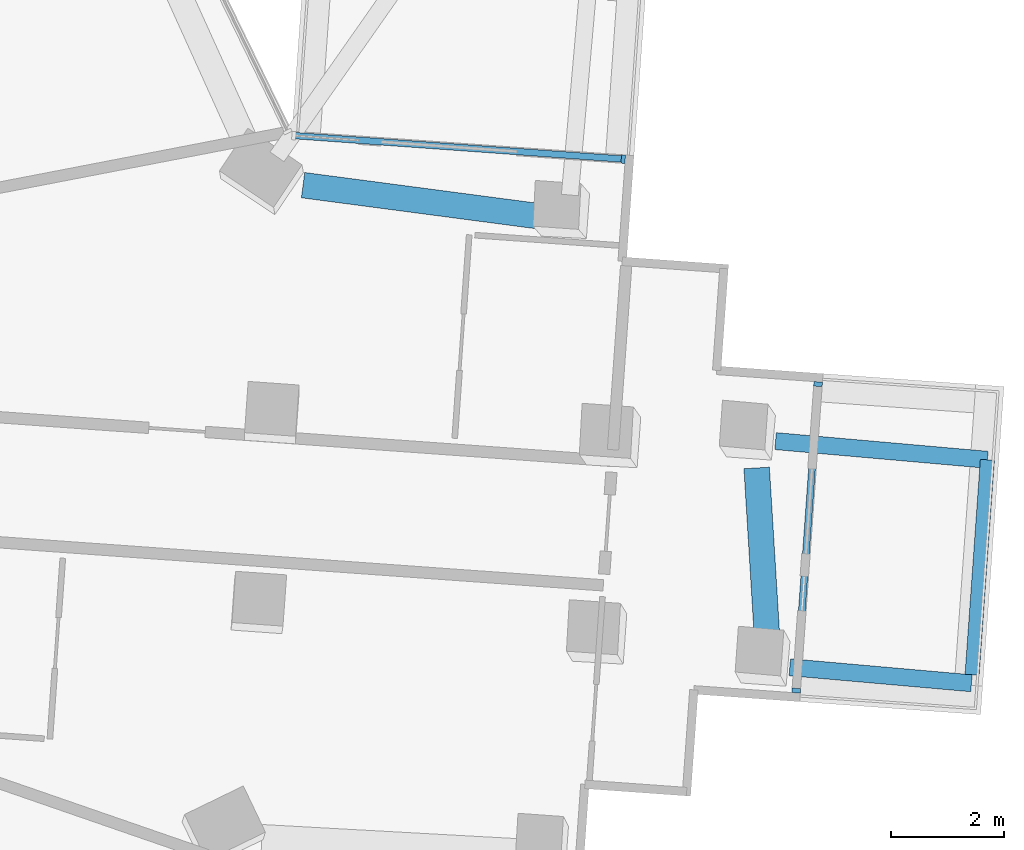
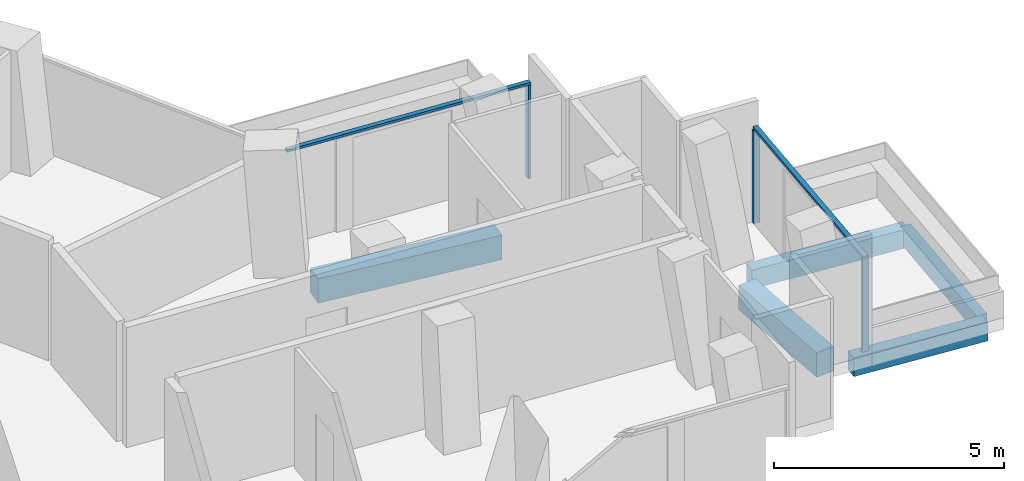
# One storey, part 5 of 22: 5 beams, 5 members, 2 elements without a shape of their own.
"""IFC4 building model written with IfcOpenShell, lengths in metres."""

from ifc_helpers import new_model, si_unit, direction, frame, origin, origin_2d, place, context, subcontext, project, spatial, rectangle, extrude, material, layer, layer_set, material_profile, profile_set, type_object, element, aggregate, save


model = new_model("IFC4")

# Units and contexts
model_context = context("Model", 3, precision=1e-05, world=origin(), true_north=direction((0.0, 1.0)))
body_context = subcontext(model_context, "Body", "Model", "MODEL_VIEW")
ifc_project = project(units=[si_unit("LENGTHUNIT", "METRE"), si_unit("AREAUNIT", "SQUARE_METRE"), si_unit("VOLUMEUNIT", "CUBIC_METRE"), si_unit("PLANEANGLEUNIT", "RADIAN"), si_unit("MASSUNIT", "GRAM", prefix="KILO")], contexts=[model_context])

# Site, building, storey
site_placement = place(None, origin())
site = spatial("IfcSite", under=ifc_project, at=site_placement, CompositionType="ELEMENT")
building_placement = place(site_placement, origin())
building = spatial("IfcBuilding", under=site, at=building_placement, Name="Verdalira Terraces Hotel", CompositionType="ELEMENT")
storey_placement = place(building_placement, frame((0.0, 0.0, 140.0)))
storey = spatial("IfcBuildingStorey", under=building, at=storey_placement, Name="L33", CompositionType="ELEMENT", Elevation=140.0)

# Beams
ifc_material_1 = material(Name="Concrete C40", Category="concrete")
ifc_material_profile_1 = material_profile(ifc_material_1, rectangle(XDim=0.300049, YDim=0.5, at=origin_2d()), Name="RC 300X500")
ifc_profile_set_1 = profile_set([ifc_material_profile_1], Name="Concrete C40")
beam_type_1 = type_object("IfcBeamType", Name="Balcony cantilever beam RC 300X500 C40", PredefinedType="BEAM", material=ifc_profile_set_1)
beam_1_placement = place(storey_placement, frame((33.4375, -4.69751, -0.560059), z_axis=(0.996131609, -0.087873878, 0.0), x_axis=(0.087873878, 0.996131609, 0.0)))
element("IfcBeam", 1, at=beam_1_placement, inside=storey, type_object=beam_type_1, Name="Balcony cantilever beam R33-1", PredefinedType="BEAM", context=body_context, shape_type="SweptSolid", body=[
    extrude(rectangle(XDim=0.300049, YDim=0.5, at=origin_2d()), origin(), (0.0, 0.0, 1.0), 3.217285),
])
beam_2_placement = place(storey_placement, frame((33.186523, -0.708984, -0.560059), z_axis=(0.996133368, -0.087853926, 0.0), x_axis=(0.087853926, 0.996133368, 0.0)))
element("IfcBeam", 2, at=beam_2_placement, inside=storey, type_object=beam_type_1, Name="Balcony cantilever beam R33-2", PredefinedType="BEAM", context=body_context, shape_type="SweptSolid", body=[
    extrude(rectangle(XDim=0.300049, YDim=0.5, at=origin_2d()), origin(), (0.0, 0.0, 1.0), 3.751465),
])
ifc_material_2 = material(Name="Concrete C40", Category="concrete")
ifc_material_profile_2 = material_profile(ifc_material_2, rectangle(XDim=0.25, YDim=0.449951, at=origin_2d()), Name="RC 250X450")
ifc_profile_set_2 = profile_set([ifc_material_profile_2], Name="Concrete C40")
beam_type_2 = type_object("IfcBeamType", Name="Balcony edge beam RC 250X450 C40", PredefinedType="BEAM", material=ifc_profile_set_2)
beam_3_placement = place(storey_placement, frame((36.653076, -4.830566, -0.534912), z_axis=(0.071155773, 0.997465215, 0.0), x_axis=(-0.997465215, 0.071155773, 0.0)))
element("IfcBeam", 3, at=beam_3_placement, inside=storey, type_object=beam_type_2, Name="Balcony edge beam R33-1", PredefinedType="BEAM", context=body_context, shape_type="SweptSolid", body=[
    extrude(rectangle(XDim=0.25, YDim=0.449951, at=origin_2d()), origin(), (0.0, 0.0, 1.0), 3.801514),
])

# Curtain wall, members
ifc_material_3 = material(Name="Clear glass", Category="glass")
ifc_layer_1 = layer(ifc_material_3, 0.14990234375)
ifc_layer_set_1 = layer_set([ifc_layer_1], Name="CW2 curtain wall")
curtain_wall_type_1 = type_object("IfcCurtainWallType", Name="CW2 curtain wall", PredefinedType="NOTDEFINED", material=ifc_layer_set_1)
curtain_wall_1_placement = place(storey_placement, origin())
curtain_wall_1 = element("IfcCurtainWall", 4, at=curtain_wall_1_placement, inside=storey, type_object=curtain_wall_type_1, Name="CW2 curtain wall L33 edge 38", PredefinedType="NOTDEFINED")
ifc_material_4 = material(Name="Terracotta frame", Category="masonry")
ifc_material_profile_3 = material_profile(ifc_material_4, rectangle(XDim=0.070068, YDim=0.149902, at=origin_2d()), Name="MU 70x150")
ifc_profile_set_3 = profile_set([ifc_material_profile_3], Name="Terracotta frame")
member_type_1 = type_object("IfcMemberType", Name="CW2 mullion 70x150", PredefinedType="MULLION", material=ifc_profile_set_3)
member_1_placement = place(storey_placement, frame((30.499512, 4.265869, 0.0), z_axis=(0.0, 0.0, 1.0), x_axis=(-0.997465679, 0.071149267, 0.0)))
member_1 = element("IfcMember", 5, at=member_1_placement, type_object=member_type_1, Name="CW2 mullion", PredefinedType="MULLION", context=body_context, shape_type="SweptSolid", body=[
    extrude(rectangle(XDim=0.070068, YDim=0.149902, at=origin_2d()), origin(), (0.0, 0.0, 1.0), 2.475098),
])
ifc_material_5 = material(Name="Terracotta frame", Category="masonry")
ifc_material_profile_4 = material_profile(ifc_material_5, rectangle(XDim=0.11499, YDim=0.064941, at=origin_2d()), Name="TR 65x115")
ifc_profile_set_4 = profile_set([ifc_material_profile_4], Name="Terracotta frame")
member_type_2 = type_object("IfcMemberType", Name="CW2 transom 65x115", PredefinedType="USERDEFINED", material=ifc_profile_set_4)
member_2_placement = place(storey_placement, frame((30.534424, 4.263184, 2.507568), z_axis=(-0.997462902, 0.071188189, 0.0), x_axis=(-0.071188189, -0.997462902, 0.0)))
member_2 = element("IfcMember", 6, at=member_2_placement, type_object=member_type_2, Name="CW2 transom", ObjectType="TRANSOM", PredefinedType="USERDEFINED", context=body_context, shape_type="SweptSolid", body=[
    extrude(rectangle(XDim=0.11499, YDim=0.064941, at=origin_2d()), origin(), (0.0, 0.0, 1.0), 5.895264),
])
aggregate(curtain_wall_1, [member_1, member_2])

ifc_material_6 = material(Name="Clear glass", Category="glass")
ifc_layer_2 = layer(ifc_material_6, 0.14990234375)
ifc_layer_set_2 = layer_set([ifc_layer_2], Name="CW3 curtain wall")
curtain_wall_type_2 = type_object("IfcCurtainWallType", Name="CW3 curtain wall", PredefinedType="NOTDEFINED", material=ifc_layer_set_2)
curtain_wall_2_placement = place(storey_placement, origin())
curtain_wall_2 = element("IfcCurtainWall", 7, at=curtain_wall_2_placement, inside=storey, type_object=curtain_wall_type_2, Name="CW3 curtain wall L33 edge 33", PredefinedType="NOTDEFINED")
ifc_material_7 = material(Name="Terracotta frame", Category="masonry")
ifc_material_profile_5 = material_profile(ifc_material_7, rectangle(XDim=0.080078, YDim=0.149902, at=origin_2d()), Name="MU 80x150")
ifc_profile_set_5 = profile_set([ifc_material_profile_5], Name="Terracotta frame")
member_type_3 = type_object("IfcMemberType", Name="CW3 mullion 80x150", PredefinedType="MULLION", material=ifc_profile_set_5)
member_3_placement = place(storey_placement, frame((33.550293, -5.110107, 0.0), z_axis=(0.0, 0.0, 1.0), x_axis=(0.071149267, 0.997465679, 0.0)))
member_3 = element("IfcMember", 8, at=member_3_placement, type_object=member_type_3, Name="CW3 mullion", PredefinedType="MULLION", context=body_context, shape_type="SweptSolid", body=[
    extrude(rectangle(XDim=0.080078, YDim=0.149902, at=origin_2d()), origin(), (0.0, 0.0, 1.0), 2.475098),
])
member_4_placement = place(storey_placement, frame((33.935791, 0.296143, 0.0), z_axis=(0.0, 0.0, 1.0), x_axis=(0.071149267, 0.997465679, 0.0)))
member_4 = element("IfcMember", 9, at=member_4_placement, type_object=member_type_3, Name="CW3 mullion", PredefinedType="MULLION", context=body_context, shape_type="SweptSolid", body=[
    extrude(rectangle(XDim=0.080078, YDim=0.149902, at=origin_2d()), origin(), (0.0, 0.0, 1.0), 2.475098),
])
ifc_material_8 = material(Name="Terracotta frame", Category="masonry")
ifc_material_profile_6 = material_profile(ifc_material_8, rectangle(XDim=0.120117, YDim=0.064941, at=origin_2d()), Name="TR 65x120")
ifc_profile_set_6 = profile_set([ifc_material_profile_6], Name="Terracotta frame")
member_type_4 = type_object("IfcMemberType", Name="CW3 transom 65x120", PredefinedType="USERDEFINED", material=ifc_profile_set_6)
member_5_placement = place(storey_placement, frame((33.547363, -5.149902, 2.507568), z_axis=(0.071155568, 0.99746523, 0.0), x_axis=(-0.99746523, 0.071155568, 0.0)))
member_5 = element("IfcMember", 10, at=member_5_placement, type_object=member_type_4, Name="CW3 transom", ObjectType="TRANSOM", PredefinedType="USERDEFINED", context=body_context, shape_type="SweptSolid", body=[
    extrude(rectangle(XDim=0.120117, YDim=0.064941, at=origin_2d()), origin(), (0.0, 0.0, 1.0), 5.5),
])
aggregate(curtain_wall_2, [member_3, member_4, member_5])

# Beams
ifc_material_9 = material(Name="Concrete C50", Category="concrete")
ifc_material_profile_7 = material_profile(ifc_material_9, rectangle(XDim=0.449951, YDim=0.649902, at=origin_2d()), Name="RC 450X650")
ifc_profile_set_7 = profile_set([ifc_material_profile_7], Name="Concrete C50")
beam_type_3 = type_object("IfcBeamType", Name="Spandrel beam RC 450X650 C50", PredefinedType="SPANDREL", material=ifc_profile_set_7)
beam_4_placement = place(storey_placement, frame((33.042236, -4.262939, -0.63501), z_axis=(-0.061225862, 0.998123937, 0.0), x_axis=(-0.998123937, -0.061225862, 0.0)))
element("IfcBeam", 11, at=beam_4_placement, inside=storey, type_object=beam_type_3, Name="Spandrel beam B16", PredefinedType="SPANDREL", context=body_context, shape_type="SweptSolid", body=[
    extrude(rectangle(XDim=0.449951, YDim=0.649902, at=origin_2d()), origin(), (0.0, 0.0, 1.0), 3.086426),
])
beam_5_placement = place(storey_placement, frame((29.15332, 3.23877, -0.63501), z_axis=(-0.991419978, 0.130715058, 0.0), x_axis=(-0.130715058, -0.991419978, 0.0)))
element("IfcBeam", 12, at=beam_5_placement, inside=storey, type_object=beam_type_3, Name="Spandrel beam B17", PredefinedType="SPANDREL", context=body_context, shape_type="SweptSolid", body=[
    extrude(rectangle(XDim=0.449951, YDim=0.649902, at=origin_2d()), origin(), (0.0, 0.0, 1.0), 4.338623),
])

save(model, "model.ifc")
